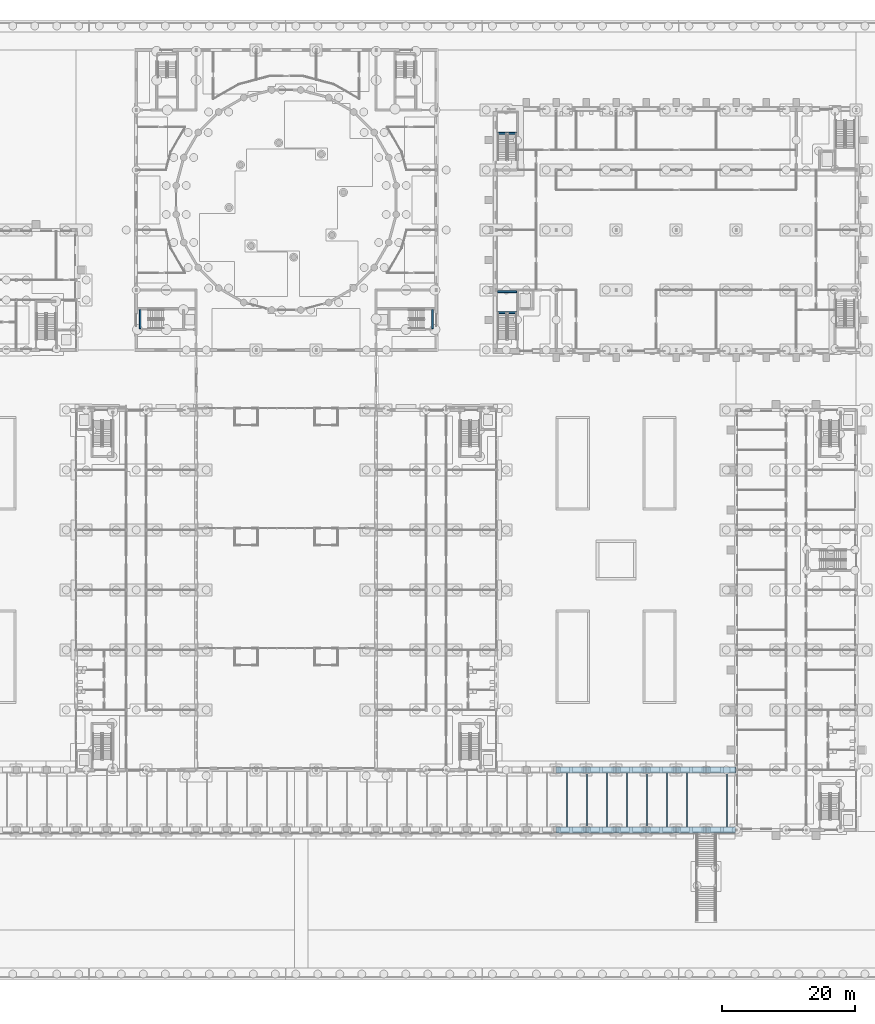
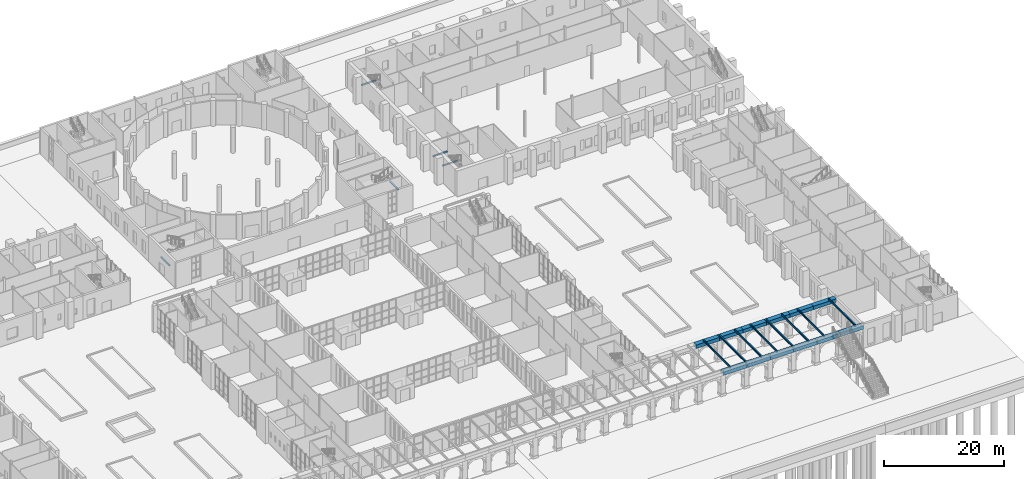
# One storey, part 64 of 168: 25 beams.
"""IFC4 building model written with IfcOpenShell, lengths in metres."""

from ifc_helpers import new_model, si_unit, direction, frame, origin, origin_2d, place, context, subcontext, project, spatial, rectangle, i_section, extrude, material, material_profile, profile_set, type_object, element, save


model = new_model("IFC4")

# Units and contexts
model_context = context("Model", 3, precision=1e-05, world=origin(), true_north=direction((0.0, 1.0)))
body_context = subcontext(model_context, "Body", "Model", "MODEL_VIEW")
ifc_project = project(units=[si_unit("LENGTHUNIT", "METRE"), si_unit("AREAUNIT", "SQUARE_METRE"), si_unit("VOLUMEUNIT", "CUBIC_METRE"), si_unit("PLANEANGLEUNIT", "RADIAN"), si_unit("MASSUNIT", "GRAM", prefix="KILO")], contexts=[model_context])

# Site, building, storey
site_placement = place(None, origin())
site = spatial("IfcSite", under=ifc_project, at=site_placement, CompositionType="ELEMENT")
building_placement = place(site_placement, origin())
building = spatial("IfcBuilding", under=site, at=building_placement, Name="Golden Quay Civic Hall", CompositionType="ELEMENT")
storey_placement = place(building_placement, origin())
storey = spatial("IfcBuildingStorey", under=building, at=storey_placement, Name="L00", CompositionType="ELEMENT", Elevation=0.0)

# Beams
ifc_material_1 = material(Name="Concrete C40/50", Category="concrete")
ifc_material_profile_1 = material_profile(ifc_material_1, rectangle(XDim=0.89990234375, YDim=0.699951171875, at=origin_2d()), Name="RC 900x700")
ifc_profile_set_1 = profile_set([ifc_material_profile_1], Name="Concrete C40/50")
beam_type_1 = type_object("IfcBeamType", Name="Concrete spandrel beam RC 900x700", PredefinedType="SPANDREL", material=ifc_profile_set_1)
for number, where, z_axis, x_axis, name in (
    (1, (126.0, -9.0, 4.449951171875), (1.0, 0.0, 0.0), (0.0, 1.0, 0.0), "Spandrel beam outer bay 25"),
    (2, (130.5, -9.0, 4.449951171875), (1.0, 0.0, 0.0), (0.0, 1.0, 0.0), "Spandrel beam outer bay 26"),
    (3, (135.0, -9.0, 4.449951171875), (1.0, 0.0, 0.0), (0.0, 1.0, 0.0), "Spandrel beam outer bay 27"),
    (4, (139.5, -9.0, 4.449951171875), (1.0, 0.0, 0.0), (0.0, 1.0, 0.0), "Spandrel beam outer bay 28"),
    (5, (144.0, -9.0, 4.449951171875), (1.0, 0.0, 0.0), (0.0, 1.0, 0.0), "Spandrel beam outer bay 29"),
):
    element("IfcBeam", number, at=place(storey_placement, frame(where, z_axis=z_axis, x_axis=x_axis)), inside=storey, type_object=beam_type_1, Name=name, PredefinedType="SPANDREL", context=body_context, shape_type="SweptSolid", body=[
        extrude(rectangle(XDim=0.89990234375, YDim=0.699951171875, at=origin_2d()), origin(), (0.0, 0.0, 1.0), 4.5),
    ])
beam_1_placement = place(storey_placement, frame((148.5, -9.0, 4.449951171875), z_axis=(1.0, 0.0, 0.0), x_axis=(0.0, 1.0, 0.0)))
element("IfcBeam", 6, at=beam_1_placement, inside=storey, type_object=beam_type_1, Name="Spandrel beam outer bay 30", PredefinedType="SPANDREL", context=body_context, shape_type="SweptSolid", body=[
    extrude(rectangle(XDim=0.89990234375, YDim=0.699951171875, at=origin_2d()), origin(), (0.0, 0.0, 1.0), 4.360107421875),
])
for number, where, z_axis, x_axis, name in (
    (7, (126.0, 0.0, 4.449951171875), (1.0, 0.0, 0.0), (0.0, 1.0, 0.0), "Spandrel beam inner1 bay 3"),
    (8, (130.5, 0.0, 4.449951171875), (1.0, 0.0, 0.0), (0.0, 1.0, 0.0), "Spandrel beam inner1 bay 4"),
    (9, (135.0, 0.0, 4.449951171875), (1.0, 0.0, 0.0), (0.0, 1.0, 0.0), "Spandrel beam inner1 bay 5"),
    (10, (139.5, 0.0, 4.449951171875), (1.0, 0.0, 0.0), (0.0, 1.0, 0.0), "Spandrel beam inner1 bay 6"),
    (11, (144.0, 0.0, 4.449951171875), (1.0, 0.0, 0.0), (0.0, 1.0, 0.0), "Spandrel beam inner1 bay 7"),
):
    element("IfcBeam", number, at=place(storey_placement, frame(where, z_axis=z_axis, x_axis=x_axis)), inside=storey, type_object=beam_type_1, Name=name, PredefinedType="SPANDREL", context=body_context, shape_type="SweptSolid", body=[
        extrude(rectangle(XDim=0.89990234375, YDim=0.699951171875, at=origin_2d()), origin(), (0.0, 0.0, 1.0), 4.5),
    ])
beam_2_placement = place(storey_placement, frame((148.5, 0.0, 4.449951171875), z_axis=(1.0, 0.0, 0.0), x_axis=(0.0, 1.0, 0.0)))
element("IfcBeam", 12, at=beam_2_placement, inside=storey, type_object=beam_type_1, Name="Spandrel beam inner1 bay 8", PredefinedType="SPANDREL", context=body_context, shape_type="SweptSolid", body=[
    extrude(rectangle(XDim=0.89990234375, YDim=0.699951171875, at=origin_2d()), origin(), (0.0, 0.0, 1.0), 4.360107421875),
])
ifc_material_2 = material(Name="Concrete C35/45", Category="concrete")
ifc_material_profile_2 = material_profile(ifc_material_2, rectangle(XDim=0.25, YDim=0.25, at=origin_2d()), Name="RC 250x250")
ifc_profile_set_2 = profile_set([ifc_material_profile_2], Name="Concrete C35/45")
beam_type_2 = type_object("IfcBeamType", Name="Reinforced concrete landing beam 250x250", PredefinedType="BEAM", material=ifc_profile_set_2)
for number, where, z_axis, x_axis, name in (
    (13, (63.574951171875, 66.199951171875, 2.375), (0.0, 1.0, 0.0), (-1.0, 0.0, 0.0), "L00 CB-SW L00 near landing 1 trimmer beam 1"),
    (14, (107.425048828125, 69.050048828125, 2.375), (0.0, -1.0, 0.0), (1.0, 0.0, 0.0), "L00 CB-SE L00 near landing 1 trimmer beam 1"),
    (15, (120.050048828125, 68.594970703125, 2.375), (-1.0, 0.0, 0.0), (0.0, -1.0, 0.0), "L00 LB-STW L00 far landing trimmer beam 1"),
    (16, (120.050048828125, 71.75, 2.375), (-1.0, 0.0, 0.0), (0.0, -1.0, 0.0), "L00 LB-STW L00 far landing trimmer beam 2"),
    (17, (120.050048828125, 95.52001953125, 2.375), (-1.0, 0.0, 0.0), (0.0, -1.0, 0.0), "L00 LB-STN L00 far landing trimmer beam 1"),
):
    element("IfcBeam", number, at=place(storey_placement, frame(where, z_axis=z_axis, x_axis=x_axis)), inside=storey, type_object=beam_type_2, Name=name, PredefinedType="BEAM", context=body_context, shape_type="SweptSolid", body=[
        extrude(rectangle(XDim=0.25, YDim=0.25, at=origin_2d()), origin(), (0.0, 0.0, 1.0), 2.85009765625),
    ])
ifc_material_3 = material(Name="Steel S355", Category="steel")
ifc_material_profile_3 = material_profile(ifc_material_3, i_section(OverallWidth=0.179931640625, OverallDepth=0.39990234375, WebThickness=0.008544921875, FlangeThickness=0.013427734375, FilletRadius=0.02099609375, at=origin_2d()), Name="IPE 400")
ifc_profile_set_3 = profile_set([ifc_material_profile_3], Name="Steel S355")
beam_type_3 = type_object("IfcBeamType", Name="Steel terrace beam IPE 400", PredefinedType="JOIST", material=ifc_profile_set_3)
for number, where, z_axis, x_axis, name in (
    (18, (127.60009765625, -9.0, 5.0), (0.0, 1.0, 0.0), (-1.0, 0.0, 0.0), "Terrace beam 36"),
    (19, (130.60009765625, -9.0, 5.0), (0.0, 1.0, 0.0), (-1.0, 0.0, 0.0), "Terrace beam 37"),
    (20, (133.60009765625, -9.0, 5.0), (0.0, 1.0, 0.0), (-1.0, 0.0, 0.0), "Terrace beam 38"),
    (21, (136.60009765625, -9.0, 5.0), (0.0, 1.0, 0.0), (-1.0, 0.0, 0.0), "Terrace beam 39"),
    (22, (139.60009765625, -9.0, 5.0), (0.0, 1.0, 0.0), (-1.0, 0.0, 0.0), "Terrace beam 40"),
    (23, (142.60009765625, -9.0, 5.0), (0.0, 1.0, 0.0), (-1.0, 0.0, 0.0), "Terrace beam 41"),
    (24, (145.60009765625, -9.0, 5.0), (0.0, 1.0, 0.0), (-1.0, 0.0, 0.0), "Terrace beam 42"),
    (25, (151.60009765625, -9.0, 5.0), (0.0, 1.0, 0.0), (-1.0, 0.0, 0.0), "Terrace beam 43"),
):
    element("IfcBeam", number, at=place(storey_placement, frame(where, z_axis=z_axis, x_axis=x_axis)), inside=storey, type_object=beam_type_3, Name=name, PredefinedType="JOIST", context=body_context, shape_type="SweptSolid", body=[
        extrude(i_section(OverallWidth=0.179931640625, OverallDepth=0.39990234375, WebThickness=0.008544921875, FlangeThickness=0.013427734375, FilletRadius=0.02099609375, at=origin_2d()), origin(), (0.0, 0.0, 1.0), 9.0),
    ])

save(model, "model.ifc")
